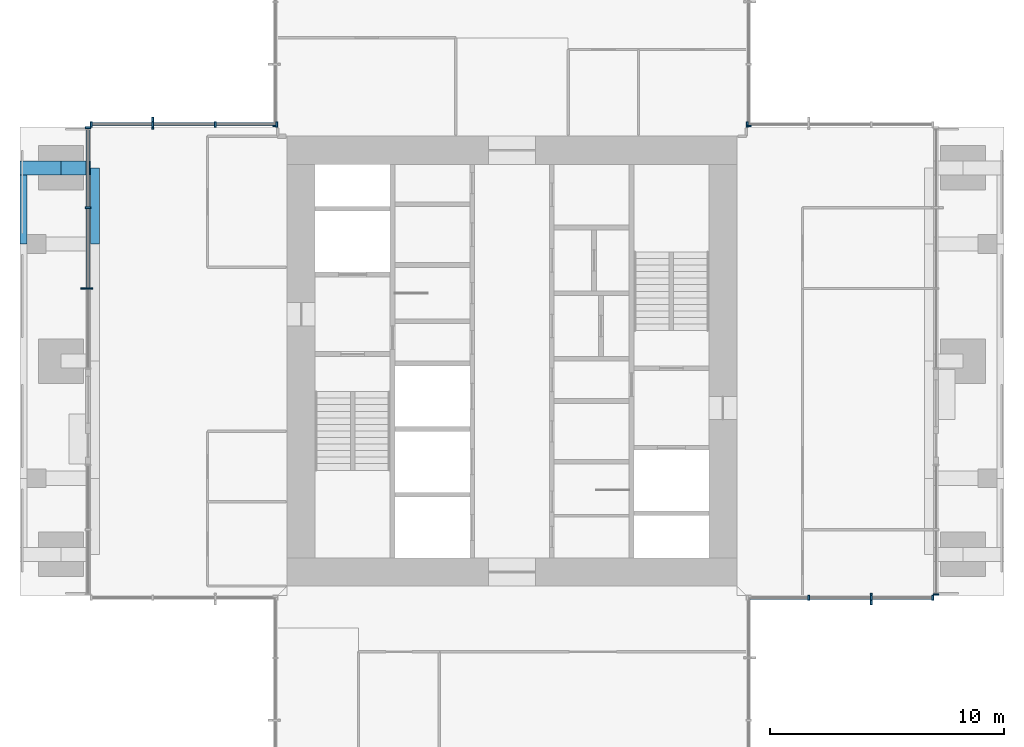
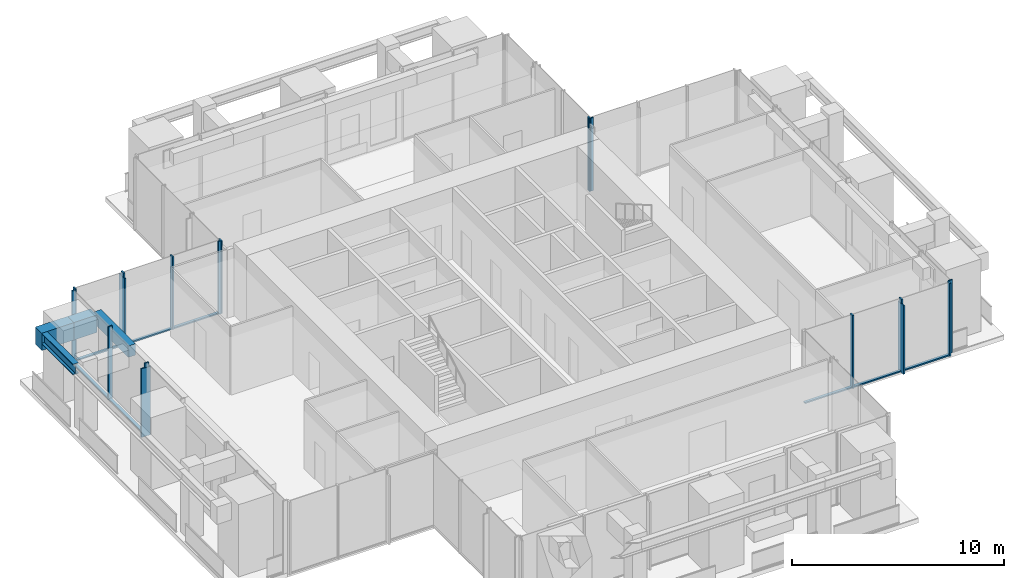
# One storey, part 3 of 12: 25 members, 4 beams, 7 elements without a shape of their own.
"""IFC4 building model written with IfcOpenShell, lengths in metres."""

from ifc_helpers import new_model, si_unit, direction, frame, origin, origin_2d, place, context, subcontext, project, spatial, rectangle, i_section, extrude, material, material_profile, profile_set, type_object, element, aggregate, save


model = new_model("IFC4")

# Units and contexts
model_context = context("Model", 3, precision=1e-05, world=origin(), true_north=direction((0.0, 1.0)))
body_context = subcontext(model_context, "Body", "Model", "MODEL_VIEW")
ifc_project = project(units=[si_unit("LENGTHUNIT", "METRE"), si_unit("AREAUNIT", "SQUARE_METRE"), si_unit("VOLUMEUNIT", "CUBIC_METRE"), si_unit("PLANEANGLEUNIT", "RADIAN"), si_unit("MASSUNIT", "GRAM", prefix="KILO")], contexts=[model_context])

# Site, building, storey
site_placement = place(None, origin())
site = spatial("IfcSite", under=ifc_project, at=site_placement, CompositionType="ELEMENT")
building_placement = place(site_placement, origin())
building = spatial("IfcBuilding", under=site, at=building_placement, Name="Svetlomir Tower", CompositionType="ELEMENT")
storey_placement = place(building_placement, frame((0.0, 0.0, 260.800048828125)))
storey = spatial("IfcBuildingStorey", under=building, at=storey_placement, Name="L62", CompositionType="ELEMENT", Elevation=260.800048828125)

# Curtain wall, member
ifc_material_1 = material(Name="Bronze anodised aluminium curtain wall", Category="aluminium")
curtain_wall_type = type_object("IfcCurtainWallType", Name="CURTAIN WALL CW4 EXECUTIVE", PredefinedType="NOTDEFINED", material=ifc_material_1)
curtain_wall_1_placement = place(storey_placement, origin())
curtain_wall_1 = element("IfcCurtainWall", 1, at=curtain_wall_1_placement, inside=storey, type_object=curtain_wall_type, Name="Curtain wall CW4 L62", PredefinedType="NOTDEFINED")
ifc_material_2 = material(Name="Bronze anodised aluminium", Category="aluminium")
ifc_material_profile_1 = material_profile(ifc_material_2, rectangle(XDim=0.080078125, YDim=0.5, at=origin_2d()), Name="FIN 80x500")
ifc_profile_set_1 = profile_set([ifc_material_profile_1], Name="Bronze anodised aluminium 6063-T6")
member_type_1 = type_object("IfcMemberType", Name="BRONZE FIN 80x500", PredefinedType="USERDEFINED", material=ifc_profile_set_1)
member_1_placement = place(storey_placement, frame((36.333251953125, 10.85009765625, 0.0), z_axis=(0.0, 0.0, 1.0), x_axis=(1.0, 0.0, 0.0)))
member_1 = element("IfcMember", 2, at=member_1_placement, type_object=member_type_1, Name="Bronze fin L62", ObjectType="FIN", PredefinedType="USERDEFINED", context=body_context, shape_type="SweptSolid", body=[
    extrude(rectangle(XDim=0.080078125, YDim=0.5, at=origin_2d()), origin(), (0.0, 0.0, 1.0), 3.949951171875),
])

curtain_wall_2_placement = place(storey_placement, origin())
curtain_wall_2 = element("IfcCurtainWall", 3, at=curtain_wall_2_placement, inside=storey, type_object=curtain_wall_type, Name="Curtain wall CW4 L62", PredefinedType="NOTDEFINED")
member_2_placement = place(storey_placement, frame((5.666748046875, 31.14990234375, 0.0), z_axis=(0.0, 0.0, 1.0), x_axis=(1.0, 0.0, 0.0)))
member_2 = element("IfcMember", 4, at=member_2_placement, type_object=member_type_1, Name="Bronze fin L62", ObjectType="FIN", PredefinedType="USERDEFINED", context=body_context, shape_type="SweptSolid", body=[
    extrude(rectangle(XDim=0.080078125, YDim=0.5, at=origin_2d()), origin(), (0.0, 0.0, 1.0), 3.949951171875),
])

curtain_wall_3_placement = place(storey_placement, origin())
curtain_wall_3 = element("IfcCurtainWall", 5, at=curtain_wall_3_placement, inside=storey, type_object=curtain_wall_type, Name="Curtain wall CW4 L62", PredefinedType="NOTDEFINED")
member_3_placement = place(storey_placement, frame((2.85009765625, 24.10009765625, 0.0), z_axis=(0.0, 0.0, 1.0), x_axis=(0.0, 1.0, 0.0)))
member_3 = element("IfcMember", 6, at=member_3_placement, type_object=member_type_1, Name="Bronze fin L62", ObjectType="FIN", PredefinedType="USERDEFINED", context=body_context, shape_type="SweptSolid", body=[
    extrude(rectangle(XDim=0.080078125, YDim=0.5, at=origin_2d()), origin(), (0.0, 0.0, 1.0), 3.949951171875),
])

# Member
ifc_material_3 = material(Name="Bronze anodised aluminium", Category="aluminium")
ifc_material_profile_2 = material_profile(ifc_material_3, rectangle(XDim=0.074951171875, YDim=0.219970703125, at=origin_2d()), Name="AL 75x220")
ifc_profile_set_2 = profile_set([ifc_material_profile_2], Name="Bronze anodised aluminium 6063-T6")
member_type_2 = type_object("IfcMemberType", Name="CW4 MULLION 75x220", PredefinedType="MULLION", material=ifc_profile_set_2)
member_4_placement = place(storey_placement, frame((33.666748046875, 10.89990234375, 0.0), z_axis=(0.0, 0.0, 1.0), x_axis=(1.0, 0.0, 0.0)))
member_4 = element("IfcMember", 7, at=member_4_placement, type_object=member_type_2, Name="CW4 mullion 2", PredefinedType="MULLION", context=body_context, shape_type="SweptSolid", body=[
    extrude(rectangle(XDim=0.074951171875, YDim=0.219970703125, at=origin_2d()), origin(), (0.0, 0.0, 1.0), 4.199951171875),
])

member_5_placement = place(storey_placement, frame((36.333251953125, 10.89990234375, 0.0), z_axis=(0.0, 0.0, 1.0), x_axis=(1.0, 0.0, 0.0)))
member_5 = element("IfcMember", 8, at=member_5_placement, type_object=member_type_2, Name="CW4 mullion 3", PredefinedType="MULLION", context=body_context, shape_type="SweptSolid", body=[
    extrude(rectangle(XDim=0.074951171875, YDim=0.219970703125, at=origin_2d()), origin(), (0.0, 0.0, 1.0), 4.199951171875),
])

member_6_placement = place(storey_placement, frame((38.96240234375, 10.89990234375, 0.0), z_axis=(0.0, 0.0, 1.0), x_axis=(1.0, 0.0, 0.0)))
member_6 = element("IfcMember", 9, at=member_6_placement, type_object=member_type_2, Name="CW4 mullion 4", PredefinedType="MULLION", context=body_context, shape_type="SweptSolid", body=[
    extrude(rectangle(XDim=0.074951171875, YDim=0.219970703125, at=origin_2d()), origin(), (0.0, 0.0, 1.0), 4.199951171875),
])

# Curtain wall, member
curtain_wall_4_placement = place(storey_placement, origin())
curtain_wall_4 = element("IfcCurtainWall", 10, at=curtain_wall_4_placement, inside=storey, type_object=curtain_wall_type, Name="Curtain wall CW4 L62", PredefinedType="NOTDEFINED")
member_7_placement = place(storey_placement, frame((39.10009765625, 11.03759765625, 0.0), z_axis=(0.0, 0.0, 1.0), x_axis=(0.0, 1.0, 0.0)))
member_7 = element("IfcMember", 11, at=member_7_placement, type_object=member_type_2, Name="CW4 mullion 1", PredefinedType="MULLION", context=body_context, shape_type="SweptSolid", body=[
    extrude(rectangle(XDim=0.074951171875, YDim=0.219970703125, at=origin_2d()), origin(), (0.0, 0.0, 1.0), 4.199951171875),
])
aggregate(curtain_wall_4, [member_7])

curtain_wall_5_placement = place(storey_placement, origin())
curtain_wall_5 = element("IfcCurtainWall", 12, at=curtain_wall_5_placement, inside=storey, type_object=curtain_wall_type, Name="Curtain wall CW4 L62", PredefinedType="NOTDEFINED")
member_8_placement = place(storey_placement, frame((31.03759765625, 31.10009765625, 0.0), z_axis=(0.0, 0.0, 1.0), x_axis=(-1.0, 0.0, 0.0)))
member_8 = element("IfcMember", 13, at=member_8_placement, type_object=member_type_2, Name="CW4 mullion 4", PredefinedType="MULLION", context=body_context, shape_type="SweptSolid", body=[
    extrude(rectangle(XDim=0.074951171875, YDim=0.219970703125, at=origin_2d()), origin(), (0.0, 0.0, 1.0), 4.199951171875),
])
aggregate(curtain_wall_5, [member_8])

curtain_wall_6_placement = place(storey_placement, origin())
curtain_wall_6 = element("IfcCurtainWall", 14, at=curtain_wall_6_placement, inside=storey, type_object=curtain_wall_type, Name="Curtain wall CW4 L62", PredefinedType="NOTDEFINED")
member_9_placement = place(storey_placement, frame((31.10009765625, 31.03759765625, 0.0), z_axis=(0.0, 0.0, 1.0), x_axis=(0.0, 1.0, 0.0)))
member_9 = element("IfcMember", 15, at=member_9_placement, type_object=member_type_2, Name="CW4 mullion 1", PredefinedType="MULLION", context=body_context, shape_type="SweptSolid", body=[
    extrude(rectangle(XDim=0.074951171875, YDim=0.219970703125, at=origin_2d()), origin(), (0.0, 0.0, 1.0), 4.199951171875),
])
aggregate(curtain_wall_6, [member_9])

curtain_wall_7_placement = place(storey_placement, origin())
curtain_wall_7 = element("IfcCurtainWall", 16, at=curtain_wall_7_placement, inside=storey, type_object=curtain_wall_type, Name="Curtain wall CW4 L62", PredefinedType="NOTDEFINED")
member_10_placement = place(storey_placement, frame((10.89990234375, 31.03759765625, 0.0), z_axis=(0.0, 0.0, 1.0), x_axis=(0.0, -1.0, 0.0)))
member_10 = element("IfcMember", 17, at=member_10_placement, type_object=member_type_2, Name="CW4 mullion 4", PredefinedType="MULLION", context=body_context, shape_type="SweptSolid", body=[
    extrude(rectangle(XDim=0.074951171875, YDim=0.219970703125, at=origin_2d()), origin(), (0.0, 0.0, 1.0), 4.199951171875),
])
aggregate(curtain_wall_7, [member_10])

# Member
member_11_placement = place(storey_placement, frame((10.96240234375, 31.10009765625, 0.0), z_axis=(0.0, 0.0, 1.0), x_axis=(-1.0, 0.0, 0.0)))
member_11 = element("IfcMember", 18, at=member_11_placement, type_object=member_type_2, Name="CW4 mullion 1", PredefinedType="MULLION", context=body_context, shape_type="SweptSolid", body=[
    extrude(rectangle(XDim=0.074951171875, YDim=0.219970703125, at=origin_2d()), origin(), (0.0, 0.0, 1.0), 4.199951171875),
])

member_12_placement = place(storey_placement, frame((8.333251953125, 31.10009765625, 0.0), z_axis=(0.0, 0.0, 1.0), x_axis=(-1.0, 0.0, 0.0)))
member_12 = element("IfcMember", 19, at=member_12_placement, type_object=member_type_2, Name="CW4 mullion 2", PredefinedType="MULLION", context=body_context, shape_type="SweptSolid", body=[
    extrude(rectangle(XDim=0.074951171875, YDim=0.219970703125, at=origin_2d()), origin(), (0.0, 0.0, 1.0), 4.199951171875),
])

member_13_placement = place(storey_placement, frame((5.666748046875, 31.10009765625, 0.0), z_axis=(0.0, 0.0, 1.0), x_axis=(-1.0, 0.0, 0.0)))
member_13 = element("IfcMember", 20, at=member_13_placement, type_object=member_type_2, Name="CW4 mullion 3", PredefinedType="MULLION", context=body_context, shape_type="SweptSolid", body=[
    extrude(rectangle(XDim=0.074951171875, YDim=0.219970703125, at=origin_2d()), origin(), (0.0, 0.0, 1.0), 4.199951171875),
])

member_14_placement = place(storey_placement, frame((3.03759765625, 31.10009765625, 0.0), z_axis=(0.0, 0.0, 1.0), x_axis=(-1.0, 0.0, 0.0)))
member_14 = element("IfcMember", 21, at=member_14_placement, type_object=member_type_2, Name="CW4 mullion 4", PredefinedType="MULLION", context=body_context, shape_type="SweptSolid", body=[
    extrude(rectangle(XDim=0.074951171875, YDim=0.219970703125, at=origin_2d()), origin(), (0.0, 0.0, 1.0), 4.199951171875),
])

member_15_placement = place(storey_placement, frame((2.89990234375, 30.96240234375, 0.0), z_axis=(0.0, 0.0, 1.0), x_axis=(0.0, -1.0, 0.0)))
member_15 = element("IfcMember", 22, at=member_15_placement, type_object=member_type_2, Name="CW4 mullion 1", PredefinedType="MULLION", context=body_context, shape_type="SweptSolid", body=[
    extrude(rectangle(XDim=0.074951171875, YDim=0.219970703125, at=origin_2d()), origin(), (0.0, 0.0, 1.0), 4.199951171875),
])

member_16_placement = place(storey_placement, frame((2.89990234375, 27.550048828125, 0.0), z_axis=(0.0, 0.0, 1.0), x_axis=(0.0, -1.0, 0.0)))
member_16 = element("IfcMember", 23, at=member_16_placement, type_object=member_type_2, Name="CW4 mullion 2", PredefinedType="MULLION", context=body_context, shape_type="SweptSolid", body=[
    extrude(rectangle(XDim=0.074951171875, YDim=0.219970703125, at=origin_2d()), origin(), (0.0, 0.0, 1.0), 4.199951171875),
])

member_17_placement = place(storey_placement, frame((2.89990234375, 24.10009765625, 0.0), z_axis=(0.0, 0.0, 1.0), x_axis=(0.0, -1.0, 0.0)))
member_17 = element("IfcMember", 24, at=member_17_placement, type_object=member_type_2, Name="CW4 mullion 3", PredefinedType="MULLION", context=body_context, shape_type="SweptSolid", body=[
    extrude(rectangle(XDim=0.074951171875, YDim=0.219970703125, at=origin_2d()), origin(), (0.0, 0.0, 1.0), 4.199951171875),
])

ifc_material_4 = material(Name="Bronze anodised aluminium", Category="aluminium")
ifc_material_profile_3 = material_profile(ifc_material_4, rectangle(XDim=0.14990234375, YDim=0.074951171875, at=origin_2d()), Name="AL 150x75")
ifc_profile_set_3 = profile_set([ifc_material_profile_3], Name="Bronze anodised aluminium 6063-T6")
member_type_3 = type_object("IfcMemberType", Name="CW4 TRANSOM 75x150", PredefinedType="USERDEFINED", material=ifc_profile_set_3)
member_18_placement = place(storey_placement, frame((31.074951171875, 10.89990234375, 0.037353515625), z_axis=(1.0, 0.0, 0.0), x_axis=(0.0, 1.0, 0.0)))
member_18 = element("IfcMember", 25, at=member_18_placement, type_object=member_type_3, Name="CW4 transom 1.1", ObjectType="TRANSOM", PredefinedType="USERDEFINED", context=body_context, shape_type="SweptSolid", body=[
    extrude(rectangle(XDim=0.14990234375, YDim=0.074951171875, at=origin_2d()), origin(), (0.0, 0.0, 1.0), 2.55419921875),
])

member_19_placement = place(storey_placement, frame((33.7041015625, 10.89990234375, 0.037353515625), z_axis=(1.0, 0.0, 0.0), x_axis=(0.0, 1.0, 0.0)))
member_19 = element("IfcMember", 26, at=member_19_placement, type_object=member_type_3, Name="CW4 transom 2.1", ObjectType="TRANSOM", PredefinedType="USERDEFINED", context=body_context, shape_type="SweptSolid", body=[
    extrude(rectangle(XDim=0.14990234375, YDim=0.074951171875, at=origin_2d()), origin(), (0.0, 0.0, 1.0), 2.591796875),
])

member_20_placement = place(storey_placement, frame((36.370849609375, 10.89990234375, 0.037353515625), z_axis=(1.0, 0.0, 0.0), x_axis=(0.0, 1.0, 0.0)))
member_20 = element("IfcMember", 27, at=member_20_placement, type_object=member_type_3, Name="CW4 transom 3.1", ObjectType="TRANSOM", PredefinedType="USERDEFINED", context=body_context, shape_type="SweptSolid", body=[
    extrude(rectangle(XDim=0.14990234375, YDim=0.074951171875, at=origin_2d()), origin(), (0.0, 0.0, 1.0), 2.55419921875),
])

aggregate(curtain_wall_1, [member_4, member_5, member_6, member_18, member_19, member_20, member_1])

member_21_placement = place(storey_placement, frame((10.925048828125, 31.10009765625, 0.037353515625), z_axis=(-1.0, 0.0, 0.0), x_axis=(0.0, -1.0, 0.0)))
member_21 = element("IfcMember", 28, at=member_21_placement, type_object=member_type_3, Name="CW4 transom 1.1", ObjectType="TRANSOM", PredefinedType="USERDEFINED", context=body_context, shape_type="SweptSolid", body=[
    extrude(rectangle(XDim=0.14990234375, YDim=0.074951171875, at=origin_2d()), origin(), (0.0, 0.0, 1.0), 2.55419921875),
])

member_22_placement = place(storey_placement, frame((8.2958984375, 31.10009765625, 0.037353515625), z_axis=(-1.0, 0.0, 0.0), x_axis=(0.0, -1.0, 0.0)))
member_22 = element("IfcMember", 29, at=member_22_placement, type_object=member_type_3, Name="CW4 transom 2.1", ObjectType="TRANSOM", PredefinedType="USERDEFINED", context=body_context, shape_type="SweptSolid", body=[
    extrude(rectangle(XDim=0.14990234375, YDim=0.074951171875, at=origin_2d()), origin(), (0.0, 0.0, 1.0), 2.591796875),
])

member_23_placement = place(storey_placement, frame((5.629150390625, 31.10009765625, 0.037353515625), z_axis=(-1.0, 0.0, 0.0), x_axis=(0.0, -1.0, 0.0)))
member_23 = element("IfcMember", 30, at=member_23_placement, type_object=member_type_3, Name="CW4 transom 3.1", ObjectType="TRANSOM", PredefinedType="USERDEFINED", context=body_context, shape_type="SweptSolid", body=[
    extrude(rectangle(XDim=0.14990234375, YDim=0.074951171875, at=origin_2d()), origin(), (0.0, 0.0, 1.0), 2.55419921875),
])

aggregate(curtain_wall_2, [member_11, member_12, member_13, member_14, member_21, member_22, member_23, member_2])

member_24_placement = place(storey_placement, frame((2.89990234375, 30.925048828125, 0.037353515625), z_axis=(0.0, -1.0, 0.0), x_axis=(1.0, 0.0, 0.0)))
member_24 = element("IfcMember", 31, at=member_24_placement, type_object=member_type_3, Name="CW4 transom 1.1", ObjectType="TRANSOM", PredefinedType="USERDEFINED", context=body_context, shape_type="SweptSolid", body=[
    extrude(rectangle(XDim=0.14990234375, YDim=0.074951171875, at=origin_2d()), origin(), (0.0, 0.0, 1.0), 3.337646484375),
])

member_25_placement = place(storey_placement, frame((2.89990234375, 27.512451171875, 0.037353515625), z_axis=(0.0, -1.0, 0.0), x_axis=(1.0, 0.0, 0.0)))
member_25 = element("IfcMember", 32, at=member_25_placement, type_object=member_type_3, Name="CW4 transom 2.1", ObjectType="TRANSOM", PredefinedType="USERDEFINED", context=body_context, shape_type="SweptSolid", body=[
    extrude(rectangle(XDim=0.14990234375, YDim=0.074951171875, at=origin_2d()), origin(), (0.0, 0.0, 1.0), 3.375),
])

aggregate(curtain_wall_3, [member_15, member_16, member_17, member_24, member_25, member_3])

# Beams
ifc_material_5 = material(Name="Steel S355", Category="steel")
ifc_material_profile_4 = material_profile(ifc_material_5, i_section(OverallWidth=0.304931640625, OverallDepth=0.6201171875, WebThickness=0.02099609375, FlangeThickness=0.0400390625, FilletRadius=0.027099609375, at=origin_2d()), Name="HEM 600")
ifc_profile_set_4 = profile_set([ifc_material_profile_4], Name="Steel S355")
beam_type_1 = type_object("IfcBeamType", Name="EDGE BEAM HEM 600", PredefinedType="SPANDREL", material=ifc_profile_set_4)
beam_1_placement = place(storey_placement, frame((0.152587890625, 26.0, 3.639892578125), z_axis=(0.0, 1.0, 0.0), x_axis=(-1.0, 0.0, 0.0)))
element("IfcBeam", 33, at=beam_1_placement, inside=storey, type_object=beam_type_1, Name="Edge beam 0/26 to 0/31 under L63", PredefinedType="SPANDREL", context=body_context, shape_type="SweptSolid", body=[
    extrude(i_section(OverallWidth=0.304931640625, OverallDepth=0.6201171875, WebThickness=0.02099609375, FlangeThickness=0.0400390625, FilletRadius=0.027099609375, at=origin_2d()), origin(), (0.0, 0.0, 1.0), 2.949951171875),
])
ifc_material_6 = material(Name="Concrete C60/75", Category="concrete")
ifc_material_profile_5 = material_profile(ifc_material_6, rectangle(XDim=0.60009765625, YDim=1.0, at=origin_2d()), Name="RC 600x1000")
ifc_profile_set_5 = profile_set([ifc_material_profile_5], Name="Concrete C60/75")
beam_type_2 = type_object("IfcBeamType", Name="EDGE LINK BEAM RC 600x1000", PredefinedType="BEAM", material=ifc_profile_set_5)
beam_2_placement = place(storey_placement, frame((1.75, 29.25, 3.449951171875), z_axis=(-1.0, 0.0, 0.0), x_axis=(0.0, -1.0, 0.0)))
element("IfcBeam", 34, at=beam_2_placement, inside=storey, type_object=beam_type_2, Name="Edge link beam W 0/31 under L63", PredefinedType="BEAM", context=body_context, shape_type="SweptSolid", body=[
    extrude(rectangle(XDim=0.60009765625, YDim=1.0, at=origin_2d()), origin(), (0.0, 0.0, 1.0), 1.75),
])
ifc_material_7 = material(Name="Concrete C60/75", Category="concrete")
ifc_material_profile_6 = material_profile(ifc_material_7, rectangle(XDim=0.39990234375, YDim=0.64990234375, at=origin_2d()), Name="RC 400x650")
ifc_profile_set_6 = profile_set([ifc_material_profile_6], Name="Concrete C60/75")
beam_type_3 = type_object("IfcBeamType", Name="FACADE EDGE BEAM RC 400x650", PredefinedType="BEAM", material=ifc_profile_set_6)
beam_3_placement = place(storey_placement, frame((3.199951171875, 26.0, 3.625), z_axis=(0.0, 1.0, 0.0), x_axis=(-1.0, 0.0, 0.0)))
element("IfcBeam", 35, at=beam_3_placement, inside=storey, type_object=beam_type_3, Name="Facade edge beam W 26 to 31 under L63", PredefinedType="BEAM", context=body_context, shape_type="SweptSolid", body=[
    extrude(rectangle(XDim=0.39990234375, YDim=0.64990234375, at=origin_2d()), origin(), (0.0, 0.0, 1.0), 3.25),
])
ifc_material_8 = material(Name="Concrete C60/75", Category="concrete")
ifc_material_profile_7 = material_profile(ifc_material_8, rectangle(XDim=0.60009765625, YDim=1.0, at=origin_2d()), Name="RC 600x1000")
ifc_profile_set_7 = profile_set([ifc_material_profile_7], Name="Concrete C60/75")
beam_type_4 = type_object("IfcBeamType", Name="LOGGIA LINK BEAM RC 600x1000", PredefinedType="BEAM", material=ifc_profile_set_7)
beam_4_placement = place(storey_placement, frame((1.75, 29.25, 3.449951171875), z_axis=(1.0, 0.0, 0.0), x_axis=(0.0, 1.0, 0.0)))
element("IfcBeam", 36, at=beam_4_placement, inside=storey, type_object=beam_type_4, Name="Loggia link beam W 31 under L63", PredefinedType="BEAM", context=body_context, shape_type="SweptSolid", body=[
    extrude(rectangle(XDim=0.60009765625, YDim=1.0, at=origin_2d()), origin(), (0.0, 0.0, 1.0), 1.25),
])

save(model, "model.ifc")
